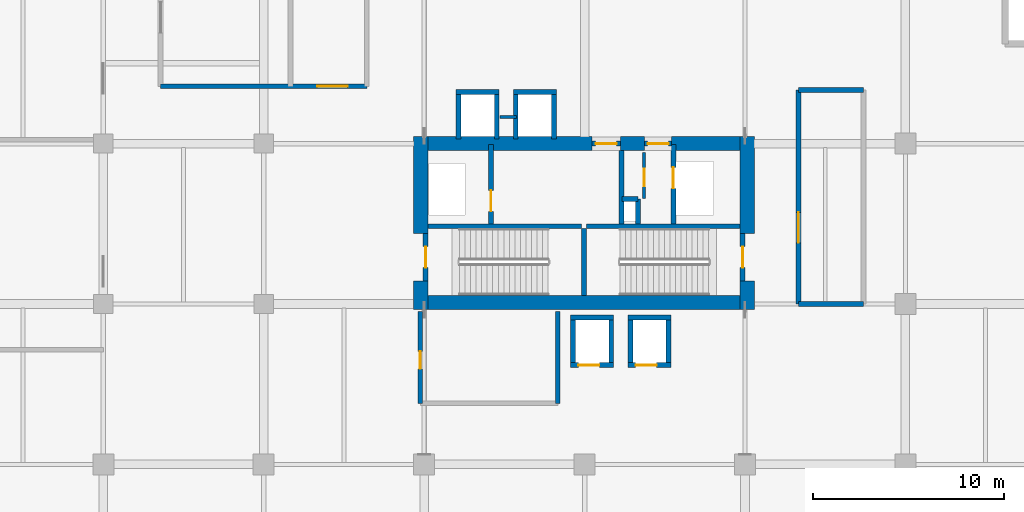
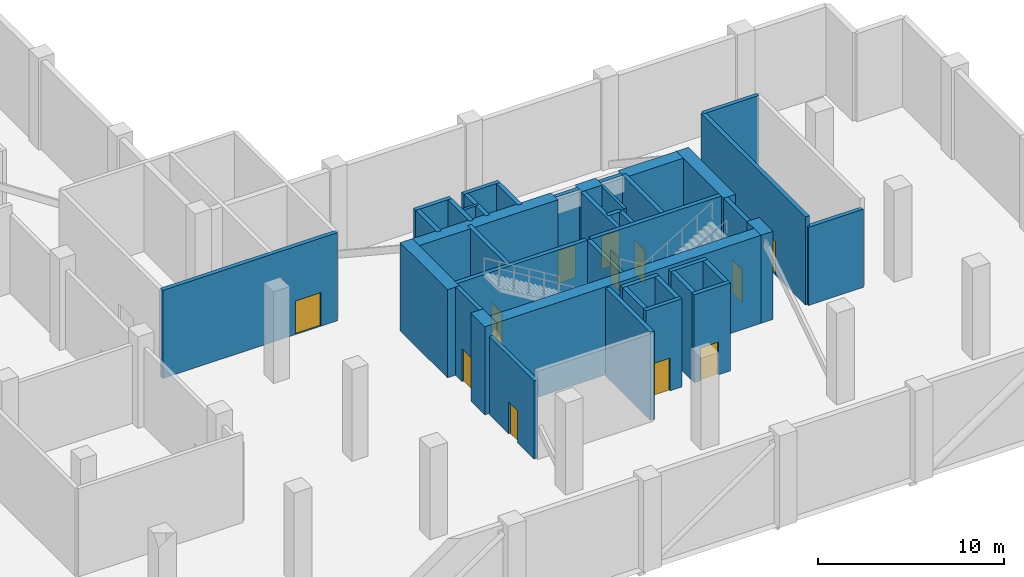
# One storey, part 12 of 16: 42 walls, 12 doors, 12 openings.
"""IFC4 building model written with IfcOpenShell, lengths in metres."""

from ifc_helpers import new_model, si_unit, direction, frame, frame_2d, origin, place, context, subcontext, project, spatial, rectangle, extrude, material, layer, layer_set, type_object, element, fill, save


model = new_model("IFC4")

# Units and contexts
model_context = context("Model", 3, precision=1e-05, world=origin(), true_north=direction((0.0, 1.0)))
body_context = subcontext(model_context, "Body", "Model", "MODEL_VIEW")
ifc_project = project(units=[si_unit("LENGTHUNIT", "METRE"), si_unit("AREAUNIT", "SQUARE_METRE"), si_unit("VOLUMEUNIT", "CUBIC_METRE"), si_unit("PLANEANGLEUNIT", "RADIAN"), si_unit("MASSUNIT", "GRAM", prefix="KILO")], contexts=[model_context])

# Site, building, storey
site_placement = place(None, origin())
site = spatial("IfcSite", under=ifc_project, at=site_placement, CompositionType="ELEMENT")
building_placement = place(site_placement, origin())
building = spatial("IfcBuilding", under=site, at=building_placement, Name="Koriwani Terraces Tower", CompositionType="ELEMENT")
storey_placement = place(building_placement, frame((0.0, 0.0, 162.0)))
storey = spatial("IfcBuildingStorey", under=building, at=storey_placement, Name="L39", CompositionType="ELEMENT", Elevation=162.0)

# Walls
ifc_material_1 = material(Name="Concrete C60/75", Category="concrete")
ifc_layer_1 = layer(ifc_material_1, 0.75, Name="Concrete C60/75")
ifc_layer_set_1 = layer_set([ifc_layer_1], Name="Concrete C60/75")
wall_type_1 = type_object("IfcWallType", Name="WALL_CORE_RC_750", PredefinedType="SHEAR", material=ifc_layer_set_1)
wall_1_placement = place(storey_placement, frame((41.824951171875, 16.5, 0.0), z_axis=(0.0, 0.0, 1.0), x_axis=(0.0, 1.0, 0.0)))
element("IfcWall", 1, at=wall_1_placement, inside=storey, type_object=wall_type_1, Name="L39 East Split Core Shear Wall W1", PredefinedType="SHEAR", context=body_context, shape_type="SweptSolid", body=[
    extrude(rectangle(XDim=1.5, YDim=0.75, at=frame_2d((0.75, 0.0))), origin(), (0.0, 0.0, 1.0), 5.77001953125),
])
wall_2_placement = place(storey_placement, frame((41.824951171875, 20.5, 0.0), z_axis=(0.0, 0.0, 1.0), x_axis=(0.0, 1.0, 0.0)))
element("IfcWall", 2, at=wall_2_placement, inside=storey, type_object=wall_type_1, Name="L39 East Split Core Shear Wall W2", PredefinedType="SHEAR", context=body_context, shape_type="SweptSolid", body=[
    extrude(rectangle(XDim=5.074951171875, YDim=0.75, at=frame_2d((2.53759765625, 0.0))), origin(), (0.0, 0.0, 1.0), 5.77001953125),
])
wall_3_placement = place(storey_placement, frame((58.925048828125, 16.5, 0.0), z_axis=(0.0, 0.0, 1.0), x_axis=(0.0, 1.0, 0.0)))
element("IfcWall", 3, at=wall_3_placement, inside=storey, type_object=wall_type_1, Name="L39 East Split Core Shear Wall E1", PredefinedType="SHEAR", context=body_context, shape_type="SweptSolid", body=[
    extrude(rectangle(XDim=1.5, YDim=0.75, at=frame_2d((0.75, 0.0))), origin(), (0.0, 0.0, 1.0), 5.77001953125),
])
wall_4_placement = place(storey_placement, frame((58.925048828125, 20.5, 0.0), z_axis=(0.0, 0.0, 1.0), x_axis=(0.0, 1.0, 0.0)))
element("IfcWall", 4, at=wall_4_placement, inside=storey, type_object=wall_type_1, Name="L39 East Split Core Shear Wall E2", PredefinedType="SHEAR", context=body_context, shape_type="SweptSolid", body=[
    extrude(rectangle(XDim=5.074951171875, YDim=0.75, at=frame_2d((2.53759765625, 0.0))), origin(), (0.0, 0.0, 1.0), 5.77001953125),
])
wall_5_placement = place(storey_placement, frame((42.199951171875, 16.875, 0.0), z_axis=(0.0, 0.0, 1.0), x_axis=(1.0, 0.0, 0.0)))
element("IfcWall", 5, at=wall_5_placement, inside=storey, type_object=wall_type_1, Name="L39 East Split Core Shear Wall S1", PredefinedType="SHEAR", context=body_context, shape_type="SweptSolid", body=[
    extrude(rectangle(XDim=16.35009765625, YDim=0.75, at=frame_2d((8.175048828125, 0.0))), origin(), (0.0, 0.0, 1.0), 5.77001953125),
])
wall_6_placement = place(storey_placement, frame((42.199951171875, 25.199951171875, 0.0), z_axis=(0.0, 0.0, 1.0), x_axis=(1.0, 0.0, 0.0)))
element("IfcWall", 6, at=wall_6_placement, inside=storey, type_object=wall_type_1, Name="L39 East Split Core Shear Wall N1", PredefinedType="SHEAR", context=body_context, shape_type="SweptSolid", body=[
    extrude(rectangle(XDim=8.60009765625, YDim=0.75, at=frame_2d((4.300048828125, 0.0))), origin(), (0.0, 0.0, 1.0), 5.77001953125),
])
wall_7_placement = place(storey_placement, frame((52.280029296875, 25.199951171875, 0.0), z_axis=(0.0, 0.0, 1.0), x_axis=(1.0, 0.0, 0.0)))
element("IfcWall", 7, at=wall_7_placement, inside=storey, type_object=wall_type_1, Name="L39 East Split Core Shear Wall N2", PredefinedType="SHEAR", context=body_context, shape_type="SweptSolid", body=[
    extrude(rectangle(XDim=1.27001953125, YDim=0.75, at=frame_2d((0.635009765625, 0.0))), origin(), (0.0, 0.0, 1.0), 5.77001953125),
])
wall_8_placement = place(storey_placement, frame((54.949951171875, 25.199951171875, 0.0), z_axis=(0.0, 0.0, 1.0), x_axis=(1.0, 0.0, 0.0)))
element("IfcWall", 8, at=wall_8_placement, inside=storey, type_object=wall_type_1, Name="L39 East Split Core Shear Wall N3", PredefinedType="SHEAR", context=body_context, shape_type="SweptSolid", body=[
    extrude(rectangle(XDim=3.60009765625, YDim=0.75, at=frame_2d((1.800048828125, 0.0))), origin(), (0.0, 0.0, 1.0), 5.77001953125),
])
ifc_material_2 = material(Name="Concrete C40/50", Category="concrete")
ifc_layer_2 = layer(ifc_material_2, 0.25, Name="Concrete C40/50")
ifc_layer_set_2 = layer_set([ifc_layer_2], Name="Concrete C40/50")
wall_type_2 = type_object("IfcWallType", Name="WALL_SHAFT_RATED_250", PredefinedType="SOLIDWALL", material=ifc_layer_set_2)
for number, where, z_axis, x_axis, name in (
    (9, (42.199951171875, 20.875, 0.0), (0.0, 0.0, 1.0), (1.0, 0.0, 0.0), "L39 East Split Core Web Wall MID1"),
    (10, (50.5, 20.875, 0.0), (0.0, 0.0, 1.0), (1.0, 0.0, 0.0), "L39 East Split Core Web Wall MID2"),
):
    element("IfcWall", number, at=place(storey_placement, frame(where, z_axis=z_axis, x_axis=x_axis)), inside=storey, type_object=wall_type_2, Name=name, PredefinedType="SOLIDWALL", context=body_context, shape_type="SweptSolid", body=[
        extrude(rectangle(XDim=8.050048828125, YDim=0.25, at=frame_2d((4.02490234375, 0.0))), origin(), (0.0, 0.0, 1.0), 5.77001953125),
    ])
wall_9_placement = place(storey_placement, frame((50.375, 17.25, 0.0), z_axis=(0.0, 0.0, 1.0), x_axis=(0.0, 1.0, 0.0)))
element("IfcWall", 11, at=wall_9_placement, inside=storey, type_object=wall_type_2, Name="L39 East Split Core Stair Dividing Wall", PredefinedType="SOLIDWALL", context=body_context, shape_type="SweptSolid", body=[
    extrude(rectangle(XDim=3.5, YDim=0.25, at=frame_2d((1.75, 0.0))), origin(), (0.0, 0.0, 1.0), 5.77001953125),
])

# Wall, opening, door
wall_10_placement = place(storey_placement, frame((42.074951171875, 18.0, 0.0), z_axis=(0.0, 0.0, 1.0), x_axis=(0.0, 1.0, 0.0)))
wall_10 = element("IfcWall", 12, at=wall_10_placement, inside=storey, type_object=wall_type_2, Name="L39 Interior Wall WIN-CE-L39-STW", PredefinedType="SOLIDWALL", context=body_context, shape_type="SweptSolid", body=[
    extrude(rectangle(XDim=2.5, YDim=0.25, at=frame_2d((1.25, 0.0))), origin(), (0.0, 0.0, 1.0), 5.77001953125),
])
opening_1_placement = place(wall_10_placement, frame((0.699951171875, 0.0, 0.0)))
opening_1 = element("IfcOpeningElement", 13, at=opening_1_placement, cuts=wall_10, Name="Opening D-03", PredefinedType="OPENING", context=body_context, shape_type="SweptSolid", body=[
    extrude(rectangle(XDim=1.10009765625, YDim=2.14990234375, at=frame_2d((0.550048828125, 1.074951171875))), frame((0.0, 0.135009765625, 0.0), z_axis=(0.0, -1.0, 0.0), x_axis=(1.0, 0.0, 0.0)), (0.0, 0.0, 1.0), 0.27001953125),
])
ifc_material_3 = material(Name="Steel ASTM A572 Grade 50", Category="steel")
door_type_1 = type_object("IfcDoorType", Name="DOOR_STAIR_FIRE_1100X2150", OperationType="NOTDEFINED", PredefinedType="DOOR", material=ifc_material_3)
door_1_placement = place(opening_1_placement, origin())
door_1 = element("IfcDoor", 14, at=door_1_placement, inside=storey, type_object=door_type_1, Name="L39 Exit Stair ST-E1 Door", OperationType="SINGLE_SWING_RIGHT", OverallHeight=2.14990234375, OverallWidth=1.10009765625, PredefinedType="DOOR", context=body_context, shape_type="SweptSolid", body=[
    extrude(rectangle(XDim=1.10009765625, YDim=2.14990234375, at=frame_2d((0.550048828125, 1.074951171875))), frame((0.0, 0.02490234375, 0.0), z_axis=(0.0, -1.0, 0.0), x_axis=(1.0, 0.0, 0.0)), (0.0, 0.0, 1.0), 0.050048828125),
])
fill(opening_1, door_1)

wall_11_placement = place(storey_placement, frame((58.675048828125, 18.0, 0.0), z_axis=(0.0, 0.0, 1.0), x_axis=(0.0, 1.0, 0.0)))
wall_11 = element("IfcWall", 15, at=wall_11_placement, inside=storey, type_object=wall_type_2, Name="L39 Interior Wall WIN-CE-L39-STE", PredefinedType="SOLIDWALL", context=body_context, shape_type="SweptSolid", body=[
    extrude(rectangle(XDim=2.5, YDim=0.25, at=frame_2d((1.25, 0.0))), origin(), (0.0, 0.0, 1.0), 5.77001953125),
])
opening_2_placement = place(wall_11_placement, frame((0.699951171875, 0.0, 0.0)))
opening_2 = element("IfcOpeningElement", 16, at=opening_2_placement, cuts=wall_11, Name="Opening D-03", PredefinedType="OPENING", context=body_context, shape_type="SweptSolid", body=[
    extrude(rectangle(XDim=1.10009765625, YDim=2.14990234375, at=frame_2d((0.550048828125, 1.074951171875))), frame((0.0, 0.135009765625, 0.0), z_axis=(0.0, -1.0, 0.0), x_axis=(1.0, 0.0, 0.0)), (0.0, 0.0, 1.0), 0.27001953125),
])
door_2_placement = place(opening_2_placement, origin())
door_2 = element("IfcDoor", 17, at=door_2_placement, inside=storey, type_object=door_type_1, Name="L39 Exit Stair ST-E2 Door", OperationType="SINGLE_SWING_LEFT", OverallHeight=2.14990234375, OverallWidth=1.10009765625, PredefinedType="DOOR", context=body_context, shape_type="SweptSolid", body=[
    extrude(rectangle(XDim=1.10009765625, YDim=2.14990234375, at=frame_2d((0.550048828125, 1.074951171875))), frame((0.0, 0.02490234375, 0.0), z_axis=(0.0, -1.0, 0.0), x_axis=(1.0, 0.0, 0.0)), (0.0, 0.0, 1.0), 0.050048828125),
])
fill(opening_2, door_2)

wall_12_placement = place(storey_placement, frame((45.5, 21.0, 0.0), z_axis=(0.0, 0.0, 1.0), x_axis=(0.0, 1.0, 0.0)))
wall_12 = element("IfcWall", 18, at=wall_12_placement, inside=storey, type_object=wall_type_2, Name="L39 Interior Wall WIN-CE-L39-FE", PredefinedType="SOLIDWALL", context=body_context, shape_type="SweptSolid", body=[
    extrude(rectangle(XDim=4.14990234375, YDim=0.25, at=frame_2d((2.074951171875, 0.0))), origin(), (0.0, 0.0, 1.0), 5.77001953125),
])
opening_3_placement = place(wall_12_placement, frame((0.64990234375, 0.0, 0.0)))
opening_3 = element("IfcOpeningElement", 19, at=opening_3_placement, cuts=wall_12, Name="Opening LD-01", PredefinedType="OPENING", context=body_context, shape_type="SweptSolid", body=[
    extrude(rectangle(XDim=1.10009765625, YDim=2.14990234375, at=frame_2d((0.550048828125, 1.074951171875))), frame((0.0, 0.135009765625, 0.0), z_axis=(0.0, -1.0, 0.0), x_axis=(1.0, 0.0, 0.0)), (0.0, 0.0, 1.0), 0.27001953125),
])
door_type_2 = type_object("IfcDoorType", Name="DOOR_LIFT_LANDING_1100X2200", OperationType="NOTDEFINED", PredefinedType="DOOR", material=ifc_material_3)
door_3_placement = place(opening_3_placement, origin())
door_3 = element("IfcDoor", 20, at=door_3_placement, inside=storey, type_object=door_type_2, Name="L39 Firefighting Lift FE-02 Landing Door", OperationType="SLIDING_TO_LEFT", OverallHeight=2.14990234375, OverallWidth=1.10009765625, PredefinedType="DOOR", context=body_context, shape_type="SweptSolid", body=[
    extrude(rectangle(XDim=1.10009765625, YDim=2.14990234375, at=frame_2d((0.550048828125, 1.074951171875))), frame((0.0, 0.02490234375, 0.0), z_axis=(0.0, -1.0, 0.0), x_axis=(1.0, 0.0, 0.0)), (0.0, 0.0, 1.0), 0.050048828125),
])
fill(opening_3, door_3)

wall_13_placement = place(storey_placement, frame((50.800048828125, 25.199951171875, 0.0), z_axis=(0.0, 0.0, 1.0), x_axis=(1.0, 0.0, 0.0)))
wall_13 = element("IfcWall", 21, at=wall_13_placement, inside=storey, type_object=wall_type_2, Name="L39 Interior Wall WIN-CE-L39-NP", PredefinedType="SOLIDWALL", context=body_context, shape_type="SweptSolid", body=[
    extrude(rectangle(XDim=1.47998046875, YDim=0.25, at=frame_2d((0.739990234375, 0.0))), origin(), (0.0, 0.0, 1.0), 5.77001953125),
])
opening_4_placement = place(wall_13_placement, frame((0.179931640625, 0.0, 0.0)))
opening_4 = element("IfcOpeningElement", 22, at=opening_4_placement, cuts=wall_13, Name="Opening D-03", PredefinedType="OPENING", context=body_context, shape_type="SweptSolid", body=[
    extrude(rectangle(XDim=1.10009765625, YDim=2.14990234375, at=frame_2d((0.550048828125, 1.074951171875))), frame((0.0, 0.135009765625, 0.0), z_axis=(0.0, -1.0, 0.0), x_axis=(1.0, 0.0, 0.0)), (0.0, 0.0, 1.0), 0.27001953125),
])
door_4_placement = place(opening_4_placement, origin())
door_4 = element("IfcDoor", 23, at=door_4_placement, inside=storey, type_object=door_type_1, Name="L39 East Firefighting Lobby Door", OperationType="SINGLE_SWING_RIGHT", OverallHeight=2.14990234375, OverallWidth=1.10009765625, PredefinedType="DOOR", context=body_context, shape_type="SweptSolid", body=[
    extrude(rectangle(XDim=1.10009765625, YDim=2.14990234375, at=frame_2d((0.550048828125, 1.074951171875))), frame((0.0, 0.02490234375, 0.0), z_axis=(0.0, -1.0, 0.0), x_axis=(1.0, 0.0, 0.0)), (0.0, 0.0, 1.0), 0.050048828125),
])
fill(opening_4, door_4)

# Wall
wall_14_placement = place(storey_placement, frame((52.340087890625, 21.0, 0.0), z_axis=(0.0, 0.0, 1.0), x_axis=(0.0, 1.0, 0.0)))
element("IfcWall", 24, at=wall_14_placement, inside=storey, type_object=wall_type_2, Name="L39 Interior Wall WIN-CE-L39-FFE", PredefinedType="SOLIDWALL", context=body_context, shape_type="SweptSolid", body=[
    extrude(rectangle(XDim=3.824951171875, YDim=0.25, at=frame_2d((1.91259765625, 0.0))), origin(), (0.0, 0.0, 1.0), 5.77001953125),
])

# Wall, opening, door
wall_15_placement = place(storey_placement, frame((55.050048828125, 21.0, 0.0), z_axis=(0.0, 0.0, 1.0), x_axis=(0.0, 1.0, 0.0)))
wall_15 = element("IfcWall", 25, at=wall_15_placement, inside=storey, type_object=wall_type_2, Name="L39 Interior Wall WIN-CE-L39-SE", PredefinedType="SOLIDWALL", context=body_context, shape_type="SweptSolid", body=[
    extrude(rectangle(XDim=4.14990234375, YDim=0.25, at=frame_2d((2.074951171875, 0.0))), origin(), (0.0, 0.0, 1.0), 5.77001953125),
])
opening_5_placement = place(wall_15_placement, frame((1.85009765625, 0.0, 0.0)))
opening_5 = element("IfcOpeningElement", 26, at=opening_5_placement, cuts=wall_15, Name="Opening LD-01", PredefinedType="OPENING", context=body_context, shape_type="SweptSolid", body=[
    extrude(rectangle(XDim=1.10009765625, YDim=2.14990234375, at=frame_2d((0.550048828125, 1.074951171875))), frame((0.0, 0.135009765625, 0.0), z_axis=(0.0, -1.0, 0.0), x_axis=(1.0, 0.0, 0.0)), (0.0, 0.0, 1.0), 0.27001953125),
])
door_5_placement = place(opening_5_placement, origin())
door_5 = element("IfcDoor", 27, at=door_5_placement, inside=storey, type_object=door_type_2, Name="L39 Goods Lift SE-02 Landing Door", OperationType="SLIDING_TO_LEFT", OverallHeight=2.14990234375, OverallWidth=1.10009765625, PredefinedType="DOOR", context=body_context, shape_type="SweptSolid", body=[
    extrude(rectangle(XDim=1.10009765625, YDim=2.14990234375, at=frame_2d((0.550048828125, 1.074951171875))), frame((0.0, 0.02490234375, 0.0), z_axis=(0.0, -1.0, 0.0), x_axis=(1.0, 0.0, 0.0)), (0.0, 0.0, 1.0), 0.050048828125),
])
fill(opening_5, door_5)

wall_16_placement = place(storey_placement, frame((53.550048828125, 25.199951171875, 0.0), z_axis=(0.0, 0.0, 1.0), x_axis=(1.0, 0.0, 0.0)))
wall_16 = element("IfcWall", 28, at=wall_16_placement, inside=storey, type_object=wall_type_2, Name="L39 Interior Wall WIN-CE-L39-NP2", PredefinedType="SOLIDWALL", context=body_context, shape_type="SweptSolid", body=[
    extrude(rectangle(XDim=1.39990234375, YDim=0.25, at=frame_2d((0.699951171875, 0.0))), origin(), (0.0, 0.0, 1.0), 5.77001953125),
])
opening_6_placement = place(wall_16_placement, frame((0.14990234375, 0.0, 0.0)))
opening_6 = element("IfcOpeningElement", 29, at=opening_6_placement, cuts=wall_16, Name="Opening D-03", PredefinedType="OPENING", context=body_context, shape_type="SweptSolid", body=[
    extrude(rectangle(XDim=1.10009765625, YDim=2.14990234375, at=frame_2d((0.550048828125, 1.074951171875))), frame((0.0, 0.135009765625, 0.0), z_axis=(0.0, -1.0, 0.0), x_axis=(1.0, 0.0, 0.0)), (0.0, 0.0, 1.0), 0.27001953125),
])
door_6_placement = place(opening_6_placement, origin())
door_6 = element("IfcDoor", 30, at=door_6_placement, inside=storey, type_object=door_type_1, Name="L39 East Goods Lift Lobby Door", OperationType="SINGLE_SWING_LEFT", OverallHeight=2.14990234375, OverallWidth=1.10009765625, PredefinedType="DOOR", context=body_context, shape_type="SweptSolid", body=[
    extrude(rectangle(XDim=1.10009765625, YDim=2.14990234375, at=frame_2d((0.550048828125, 1.074951171875))), frame((0.0, 0.02490234375, 0.0), z_axis=(0.0, -1.0, 0.0), x_axis=(1.0, 0.0, 0.0)), (0.0, 0.0, 1.0), 0.050048828125),
])
fill(opening_6, door_6)

# Walls
wall_17_placement = place(storey_placement, frame((53.199951171875, 21.0, 0.0), z_axis=(0.0, 0.0, 1.0), x_axis=(0.0, 1.0, 0.0)))
element("IfcWall", 31, at=wall_17_placement, inside=storey, type_object=wall_type_2, Name="L39 Interior Wall WIN-CE-L39-RS1", PredefinedType="SOLIDWALL", context=body_context, shape_type="SweptSolid", body=[
    extrude(rectangle(XDim=1.300048828125, YDim=0.25, at=frame_2d((0.64990234375, 0.0))), origin(), (0.0, 0.0, 1.0), 5.77001953125),
])
wall_18_placement = place(storey_placement, frame((52.360107421875, 22.300048828125, 0.0), z_axis=(0.0, 0.0, 1.0), x_axis=(1.0, 0.0, 0.0)))
element("IfcWall", 32, at=wall_18_placement, inside=storey, type_object=wall_type_2, Name="L39 Interior Wall WIN-CE-L39-RS2", PredefinedType="SOLIDWALL", context=body_context, shape_type="SweptSolid", body=[
    extrude(rectangle(XDim=0.83984375, YDim=0.25, at=frame_2d((0.419921875, 0.0))), origin(), (0.0, 0.0, 1.0), 5.77001953125),
])

# Wall, opening, door
wall_19_placement = place(storey_placement, frame((49.675048828125, 13.60009765625, 0.0), z_axis=(0.0, 0.0, 1.0), x_axis=(1.0, 0.0, 0.0)))
wall_19 = element("IfcWall", 33, at=wall_19_placement, inside=storey, type_object=wall_type_2, Name="L39 Interior Wall WIN-LF-PE-M3-L39-F", PredefinedType="SOLIDWALL", context=body_context, shape_type="SweptSolid", body=[
    extrude(rectangle(XDim=2.25, YDim=0.25, at=frame_2d((1.125, 0.0))), origin(), (0.0, 0.0, 1.0), 5.77001953125),
])
opening_7_placement = place(wall_19_placement, frame((0.39990234375, 0.0, 0.0)))
opening_7 = element("IfcOpeningElement", 34, at=opening_7_placement, cuts=wall_19, Name="Opening LD-01", PredefinedType="OPENING", context=body_context, shape_type="SweptSolid", body=[
    extrude(rectangle(XDim=1.10009765625, YDim=2.14990234375, at=frame_2d((0.550048828125, 1.074951171875))), frame((0.0, 0.135009765625, 0.0), z_axis=(0.0, -1.0, 0.0), x_axis=(1.0, 0.0, 0.0)), (0.0, 0.0, 1.0), 0.27001953125),
])
door_7_placement = place(opening_7_placement, origin())
door_7 = element("IfcDoor", 35, at=door_7_placement, inside=storey, type_object=door_type_2, Name="L39 Passenger Lift PE-M3 Landing Door", OperationType="SLIDING_TO_LEFT", OverallHeight=2.14990234375, OverallWidth=1.10009765625, PredefinedType="DOOR", context=body_context, shape_type="SweptSolid", body=[
    extrude(rectangle(XDim=1.10009765625, YDim=2.14990234375, at=frame_2d((0.550048828125, 1.074951171875))), frame((0.0, 0.02490234375, 0.0), z_axis=(0.0, -1.0, 0.0), x_axis=(1.0, 0.0, 0.0)), (0.0, 0.0, 1.0), 0.050048828125),
])
fill(opening_7, door_7)

# Walls
for number, where, z_axis, x_axis, name in (
    (36, (49.675048828125, 16.10009765625, 0.0), (0.0, 0.0, 1.0), (1.0, 0.0, 0.0), "L39 Interior Wall WIN-LF-PE-M3-L39-B"),
    (37, (49.800048828125, 13.72509765625, 0.0), (0.0, 0.0, 1.0), (0.0, 1.0, 0.0), "L39 Interior Wall WIN-LF-PE-M3-L39-W"),
    (38, (51.800048828125, 13.72509765625, 0.0), (0.0, 0.0, 1.0), (0.0, 1.0, 0.0), "L39 Interior Wall WIN-LF-PE-M3-L39-E"),
):
    element("IfcWall", number, at=place(storey_placement, frame(where, z_axis=z_axis, x_axis=x_axis)), inside=storey, type_object=wall_type_2, Name=name, PredefinedType="SOLIDWALL", context=body_context, shape_type="SweptSolid", body=[
        extrude(rectangle(XDim=2.25, YDim=0.25, at=frame_2d((1.125, 0.0))), origin(), (0.0, 0.0, 1.0), 5.77001953125),
    ])

# Wall, opening, door
wall_20_placement = place(storey_placement, frame((52.675048828125, 13.60009765625, 0.0), z_axis=(0.0, 0.0, 1.0), x_axis=(1.0, 0.0, 0.0)))
wall_20 = element("IfcWall", 39, at=wall_20_placement, inside=storey, type_object=wall_type_2, Name="L39 Interior Wall WIN-LF-PE-M4-L39-F", PredefinedType="SOLIDWALL", context=body_context, shape_type="SweptSolid", body=[
    extrude(rectangle(XDim=2.25, YDim=0.25, at=frame_2d((1.125, 0.0))), origin(), (0.0, 0.0, 1.0), 5.77001953125),
])
opening_8_placement = place(wall_20_placement, frame((0.39990234375, 0.0, 0.0)))
opening_8 = element("IfcOpeningElement", 40, at=opening_8_placement, cuts=wall_20, Name="Opening LD-01", PredefinedType="OPENING", context=body_context, shape_type="SweptSolid", body=[
    extrude(rectangle(XDim=1.10009765625, YDim=2.14990234375, at=frame_2d((0.550048828125, 1.074951171875))), frame((0.0, 0.135009765625, 0.0), z_axis=(0.0, -1.0, 0.0), x_axis=(1.0, 0.0, 0.0)), (0.0, 0.0, 1.0), 0.27001953125),
])
door_8_placement = place(opening_8_placement, origin())
door_8 = element("IfcDoor", 41, at=door_8_placement, inside=storey, type_object=door_type_2, Name="L39 Passenger Lift PE-M4 Landing Door", OperationType="SLIDING_TO_LEFT", OverallHeight=2.14990234375, OverallWidth=1.10009765625, PredefinedType="DOOR", context=body_context, shape_type="SweptSolid", body=[
    extrude(rectangle(XDim=1.10009765625, YDim=2.14990234375, at=frame_2d((0.550048828125, 1.074951171875))), frame((0.0, 0.02490234375, 0.0), z_axis=(0.0, -1.0, 0.0), x_axis=(1.0, 0.0, 0.0)), (0.0, 0.0, 1.0), 0.050048828125),
])
fill(opening_8, door_8)

# Walls
for number, where, z_axis, x_axis, name in (
    (42, (52.675048828125, 16.10009765625, 0.0), (0.0, 0.0, 1.0), (1.0, 0.0, 0.0), "L39 Interior Wall WIN-LF-PE-M4-L39-B"),
    (43, (52.800048828125, 13.72509765625, 0.0), (0.0, 0.0, 1.0), (0.0, 1.0, 0.0), "L39 Interior Wall WIN-LF-PE-M4-L39-W"),
    (44, (54.800048828125, 13.72509765625, 0.0), (0.0, 0.0, 1.0), (0.0, 1.0, 0.0), "L39 Interior Wall WIN-LF-PE-M4-L39-E"),
    (45, (43.675048828125, 27.89990234375, 0.0), (0.0, 0.0, 1.0), (1.0, 0.0, 0.0), "L39 Interior Wall WIN-LF-PE-H3-L39-F"),
):
    element("IfcWall", number, at=place(storey_placement, frame(where, z_axis=z_axis, x_axis=x_axis)), inside=storey, type_object=wall_type_2, Name=name, PredefinedType="SOLIDWALL", context=body_context, shape_type="SweptSolid", body=[
        extrude(rectangle(XDim=2.25, YDim=0.25, at=frame_2d((1.125, 0.0))), origin(), (0.0, 0.0, 1.0), 5.77001953125),
    ])
for number, where, z_axis, x_axis, name in (
    (46, (43.800048828125, 25.449951171875, 0.0), (0.0, 0.0, 1.0), (0.0, 1.0, 0.0), "L39 Interior Wall WIN-LF-PE-H3-L39-W"),
    (47, (45.800048828125, 25.449951171875, 0.0), (0.0, 0.0, 1.0), (0.0, 1.0, 0.0), "L39 Interior Wall WIN-LF-PE-H3-L39-E"),
):
    element("IfcWall", number, at=place(storey_placement, frame(where, z_axis=z_axis, x_axis=x_axis)), inside=storey, type_object=wall_type_2, Name=name, PredefinedType="SOLIDWALL", context=body_context, shape_type="SweptSolid", body=[
        extrude(rectangle(XDim=2.324951171875, YDim=0.25, at=frame_2d((1.16259765625, 0.0))), origin(), (0.0, 0.0, 1.0), 5.77001953125),
    ])
wall_21_placement = place(storey_placement, frame((46.675048828125, 27.89990234375, 0.0), z_axis=(0.0, 0.0, 1.0), x_axis=(1.0, 0.0, 0.0)))
element("IfcWall", 48, at=wall_21_placement, inside=storey, type_object=wall_type_2, Name="L39 Interior Wall WIN-LF-PE-H4-L39-F", PredefinedType="SOLIDWALL", context=body_context, shape_type="SweptSolid", body=[
    extrude(rectangle(XDim=2.25, YDim=0.25, at=frame_2d((1.125, 0.0))), origin(), (0.0, 0.0, 1.0), 5.77001953125),
])
for number, where, z_axis, x_axis, name in (
    (49, (46.800048828125, 25.449951171875, 0.0), (0.0, 0.0, 1.0), (0.0, 1.0, 0.0), "L39 Interior Wall WIN-LF-PE-H4-L39-W"),
    (50, (48.800048828125, 25.449951171875, 0.0), (0.0, 0.0, 1.0), (0.0, 1.0, 0.0), "L39 Interior Wall WIN-LF-PE-H4-L39-E"),
):
    element("IfcWall", number, at=place(storey_placement, frame(where, z_axis=z_axis, x_axis=x_axis)), inside=storey, type_object=wall_type_2, Name=name, PredefinedType="SOLIDWALL", context=body_context, shape_type="SweptSolid", body=[
        extrude(rectangle(XDim=2.324951171875, YDim=0.25, at=frame_2d((1.16259765625, 0.0))), origin(), (0.0, 0.0, 1.0), 5.77001953125),
    ])

# Wall, opening, door
wall_22_placement = place(storey_placement, frame((61.60009765625, 16.800048828125, 0.0), z_axis=(0.0, 0.0, 1.0), x_axis=(0.0, 1.0, 0.0)))
wall_22 = element("IfcWall", 51, at=wall_22_placement, inside=storey, type_object=wall_type_2, Name="L39 Interior Wall WREF-E1-L39", PredefinedType="SOLIDWALL", context=body_context, shape_type="SweptSolid", body=[
    extrude(rectangle(XDim=11.199951171875, YDim=0.25, at=frame_2d((5.60009765625, 0.0))), origin(), (0.0, 0.0, 1.0), 5.77001953125),
])
opening_9_placement = place(wall_22_placement, frame((3.199951171875, 0.0, 0.0)))
opening_9 = element("IfcOpeningElement", 52, at=opening_9_placement, cuts=wall_22, Name="Opening D-08", PredefinedType="OPENING", context=body_context, shape_type="SweptSolid", body=[
    extrude(rectangle(XDim=1.60009765625, YDim=2.199951171875, at=frame_2d((0.800048828125, 1.10009765625))), frame((0.0, 0.135009765625, 0.0), z_axis=(0.0, -1.0, 0.0), x_axis=(1.0, 0.0, 0.0)), (0.0, 0.0, 1.0), 0.27001953125),
])
door_type_3 = type_object("IfcDoorType", Name="DOOR_PLANT_DOUBLE_1600X2200", OperationType="NOTDEFINED", PredefinedType="DOOR", material=ifc_material_3)
door_9_placement = place(opening_9_placement, origin())
door_9 = element("IfcDoor", 53, at=door_9_placement, inside=storey, type_object=door_type_3, Name="L39 East Fire Refuge Area Door", OperationType="SINGLE_SWING_RIGHT", OverallHeight=2.199951171875, OverallWidth=1.60009765625, PredefinedType="DOOR", context=body_context, shape_type="SweptSolid", body=[
    extrude(rectangle(XDim=1.60009765625, YDim=2.199951171875, at=frame_2d((0.800048828125, 1.10009765625))), frame((0.0, 0.02490234375, 0.0), z_axis=(0.0, -1.0, 0.0), x_axis=(1.0, 0.0, 0.0)), (0.0, 0.0, 1.0), 0.050048828125),
])
fill(opening_9, door_9)

# Walls
wall_23_placement = place(storey_placement, frame((61.60009765625, 16.800048828125, 0.0), z_axis=(0.0, 0.0, 1.0), x_axis=(1.0, 0.0, 0.0)))
element("IfcWall", 54, at=wall_23_placement, inside=storey, type_object=wall_type_2, Name="L39 Interior Wall WREF-E3-L39", PredefinedType="SOLIDWALL", context=body_context, shape_type="SweptSolid", body=[
    extrude(rectangle(XDim=3.39990234375, YDim=0.25, at=frame_2d((1.699951171875, 0.0))), origin(), (0.0, 0.0, 1.0), 5.1201171875),
])
wall_24_placement = place(storey_placement, frame((61.60009765625, 28.0, 0.0), z_axis=(0.0, 0.0, 1.0), x_axis=(1.0, 0.0, 0.0)))
element("IfcWall", 55, at=wall_24_placement, inside=storey, type_object=wall_type_2, Name="L39 Interior Wall WREF-E4-L39", PredefinedType="SOLIDWALL", context=body_context, shape_type="SweptSolid", body=[
    extrude(rectangle(XDim=3.39990234375, YDim=0.25, at=frame_2d((1.699951171875, 0.0))), origin(), (0.0, 0.0, 1.0), 5.77001953125),
])

# Wall, opening, door
wall_25_placement = place(storey_placement, frame((28.199951171875, 28.199951171875, 0.0), z_axis=(0.0, 0.0, 1.0), x_axis=(1.0, 0.0, 0.0)))
wall_25 = element("IfcWall", 56, at=wall_25_placement, inside=storey, type_object=wall_type_2, Name="L39 Interior Wall WPL2-L39-S", PredefinedType="SOLIDWALL", context=body_context, shape_type="SweptSolid", body=[
    extrude(rectangle(XDim=10.800048828125, YDim=0.25, at=frame_2d((5.39990234375, 0.0))), origin(), (0.0, 0.0, 1.0), 5.77001953125),
])
opening_10_placement = place(wall_25_placement, frame((8.199951171875, 0.0, 0.0)))
opening_10 = element("IfcOpeningElement", 57, at=opening_10_placement, cuts=wall_25, Name="Opening D-08", PredefinedType="OPENING", context=body_context, shape_type="SweptSolid", body=[
    extrude(rectangle(XDim=1.60009765625, YDim=2.199951171875, at=frame_2d((0.800048828125, 1.10009765625))), frame((0.0, 0.135009765625, 0.0), z_axis=(0.0, -1.0, 0.0), x_axis=(1.0, 0.0, 0.0)), (0.0, 0.0, 1.0), 0.27001953125),
])
door_10_placement = place(opening_10_placement, origin())
door_10 = element("IfcDoor", 58, at=door_10_placement, inside=storey, type_object=door_type_3, Name="L39 Electrical Transformer Room Door", OperationType="SINGLE_SWING_RIGHT", OverallHeight=2.199951171875, OverallWidth=1.60009765625, PredefinedType="DOOR", context=body_context, shape_type="SweptSolid", body=[
    extrude(rectangle(XDim=1.60009765625, YDim=2.199951171875, at=frame_2d((0.800048828125, 1.10009765625))), frame((0.0, 0.02490234375, 0.0), z_axis=(0.0, -1.0, 0.0), x_axis=(1.0, 0.0, 0.0)), (0.0, 0.0, 1.0), 0.050048828125),
])
fill(opening_10, door_10)

wall_26_placement = place(storey_placement, frame((41.800048828125, 11.60009765625, 0.0), z_axis=(0.0, 0.0, 1.0), x_axis=(0.0, 1.0, 0.0)))
wall_26 = element("IfcWall", 59, at=wall_26_placement, inside=storey, type_object=wall_type_2, Name="L39 Interior Wall WPL-RECE1-L39", PredefinedType="SOLIDWALL", context=body_context, shape_type="SweptSolid", body=[
    extrude(rectangle(XDim=4.7998046875, YDim=0.25, at=frame_2d((2.39990234375, 0.0))), origin(), (0.0, 0.0, 1.0), 5.1201171875),
])
opening_11_placement = place(wall_26_placement, frame((1.800048828125, 0.0, 0.0)))
opening_11 = element("IfcOpeningElement", 60, at=opening_11_placement, cuts=wall_26, Name="Opening D-06", PredefinedType="OPENING", context=body_context, shape_type="SweptSolid", body=[
    extrude(rectangle(XDim=0.919921875, YDim=2.10009765625, at=frame_2d((0.4599609375, 1.050048828125))), frame((0.0, 0.135009765625, 0.0), z_axis=(0.0, -1.0, 0.0), x_axis=(1.0, 0.0, 0.0)), (0.0, 0.0, 1.0), 0.27001953125),
])
ifc_material_4 = material(Name="Architectural Oak Fire Door", Category="wood")
door_type_4 = type_object("IfcDoorType", Name="DOOR_ROOM_INT_920X2100", OperationType="NOTDEFINED", PredefinedType="DOOR", material=ifc_material_4)
door_11_placement = place(opening_11_placement, origin())
door_11 = element("IfcDoor", 61, at=door_11_placement, inside=storey, type_object=door_type_4, Name="L39 Reclaimed East Telemetry Room Door", OperationType="SINGLE_SWING_RIGHT", OverallHeight=2.10009765625, OverallWidth=0.919921875, PredefinedType="DOOR", context=body_context, shape_type="SweptSolid", body=[
    extrude(rectangle(XDim=0.919921875, YDim=2.10009765625, at=frame_2d((0.4599609375, 1.050048828125))), frame((0.0, 0.02490234375, 0.0), z_axis=(0.0, -1.0, 0.0), x_axis=(1.0, 0.0, 0.0)), (0.0, 0.0, 1.0), 0.050048828125),
])
fill(opening_11, door_11)

# Wall
wall_27_placement = place(storey_placement, frame((49.0, 11.60009765625, 0.0), z_axis=(0.0, 0.0, 1.0), x_axis=(0.0, 1.0, 0.0)))
element("IfcWall", 62, at=wall_27_placement, inside=storey, type_object=wall_type_2, Name="L39 Interior Wall WPL-RECE3-L39", PredefinedType="SOLIDWALL", context=body_context, shape_type="SweptSolid", body=[
    extrude(rectangle(XDim=4.7998046875, YDim=0.25, at=frame_2d((2.39990234375, 0.0))), origin(), (0.0, 0.0, 1.0), 5.77001953125),
])

# Wall, opening, door
ifc_material_5 = material(Name="Fire-Rated Acoustic Gypsum Partition", Category="masonry")
ifc_layer_3 = layer(ifc_material_5, 0.159912109375, Name="Fire-Rated Acoustic Gypsum Partition")
ifc_layer_set_3 = layer_set([ifc_layer_3], Name="Fire-Rated Acoustic Gypsum Partition")
wall_type_3 = type_object("IfcWallType", Name="WALL_SUITE_160", PredefinedType="PARTITIONING", material=ifc_layer_set_3)
wall_28_placement = place(storey_placement, frame((53.52001953125, 22.320068359375, 0.0), z_axis=(0.0, 0.0, 1.0), x_axis=(0.0, 1.0, 0.0)))
wall_28 = element("IfcWall", 63, at=wall_28_placement, inside=storey, type_object=wall_type_3, Name="L39 Interior Wall WIN-CE-L39-SV0", PredefinedType="PARTITIONING", context=body_context, shape_type="SweptSolid", body=[
    extrude(rectangle(XDim=2.39990234375, YDim=0.159912109375, at=frame_2d((1.199951171875, 0.0))), origin(), (0.0, 0.0, 1.0), 5.77001953125),
])
opening_12_placement = place(wall_28_placement, frame((0.64990234375, 0.0, 0.0)))
opening_12 = element("IfcOpeningElement", 64, at=opening_12_placement, cuts=wall_28, Name="Opening D-07", PredefinedType="OPENING", context=body_context, shape_type="SweptSolid", body=[
    extrude(rectangle(XDim=0.89990234375, YDim=2.10009765625, at=frame_2d((0.449951171875, 1.050048828125))), frame((0.0, 0.08984375, 0.0), z_axis=(0.0, -1.0, 0.0), x_axis=(1.0, 0.0, 0.0)), (0.0, 0.0, 1.0), 0.179931640625),
])
door_type_5 = type_object("IfcDoorType", Name="DOOR_BATH_INT_900X2100", OperationType="NOTDEFINED", PredefinedType="DOOR", material=ifc_material_4)
door_12_placement = place(opening_12_placement, origin())
door_12 = element("IfcDoor", 65, at=door_12_placement, inside=storey, type_object=door_type_5, Name="L39 East Electrical Switch Room Door", OperationType="SINGLE_SWING_RIGHT", OverallHeight=2.10009765625, OverallWidth=0.89990234375, PredefinedType="DOOR", context=body_context, shape_type="SweptSolid", body=[
    extrude(rectangle(XDim=0.89990234375, YDim=2.10009765625, at=frame_2d((0.449951171875, 1.050048828125))), frame((0.0, 0.02490234375, 0.0), z_axis=(0.0, -1.0, 0.0), x_axis=(1.0, 0.0, 0.0)), (0.0, 0.0, 1.0), 0.050048828125),
])
fill(opening_12, door_12)

# Wall
wall_29_placement = place(storey_placement, frame((45.9599609375, 26.60009765625, 0.0), z_axis=(0.0, 0.0, 1.0), x_axis=(1.0, 0.0, 0.0)))
element("IfcWall", 66, at=wall_29_placement, inside=storey, type_object=wall_type_3, Name="L39 Interior Wall WIN-LF-PEH34-MID-L39", PredefinedType="PARTITIONING", context=body_context, shape_type="SweptSolid", body=[
    extrude(rectangle(XDim=0.880126953125, YDim=0.159912109375, at=frame_2d((0.43994140625, 0.0))), origin(), (0.0, 0.0, 1.0), 5.77001953125),
])

save(model, "model.ifc")
